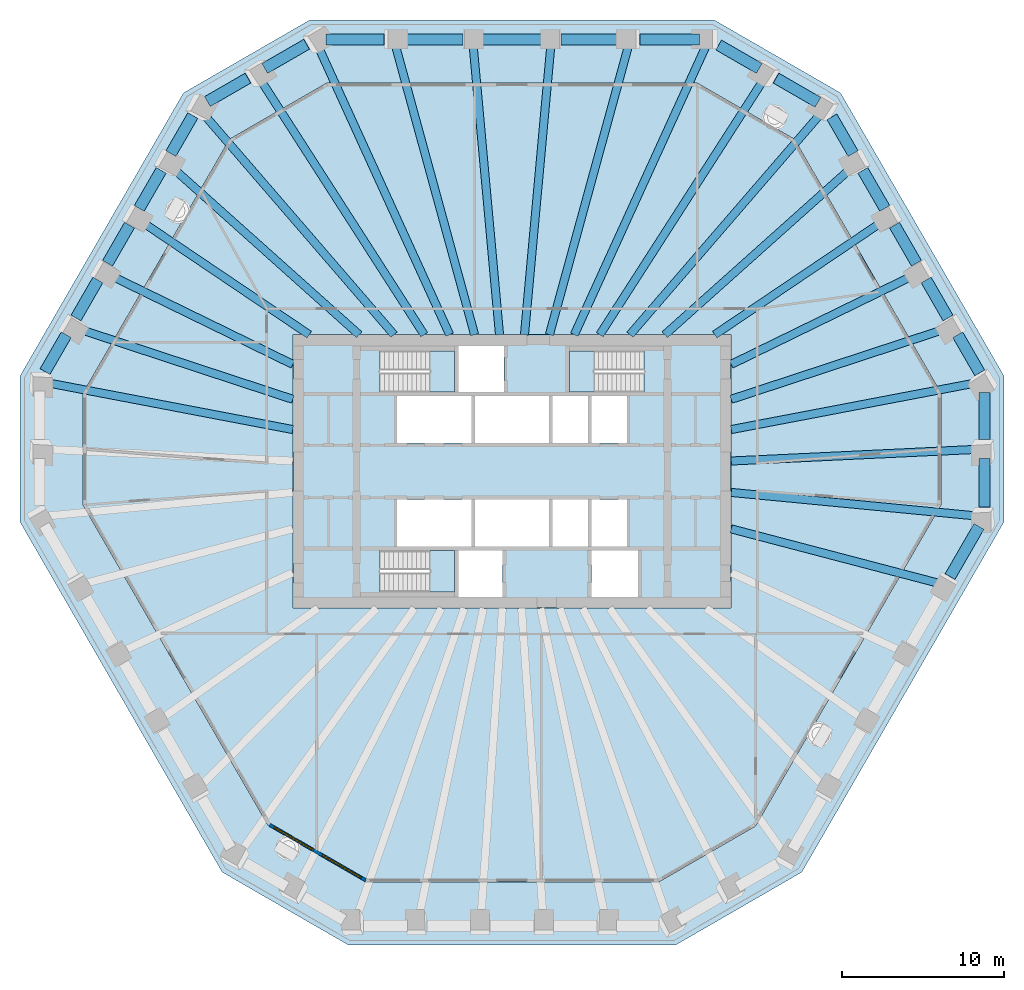
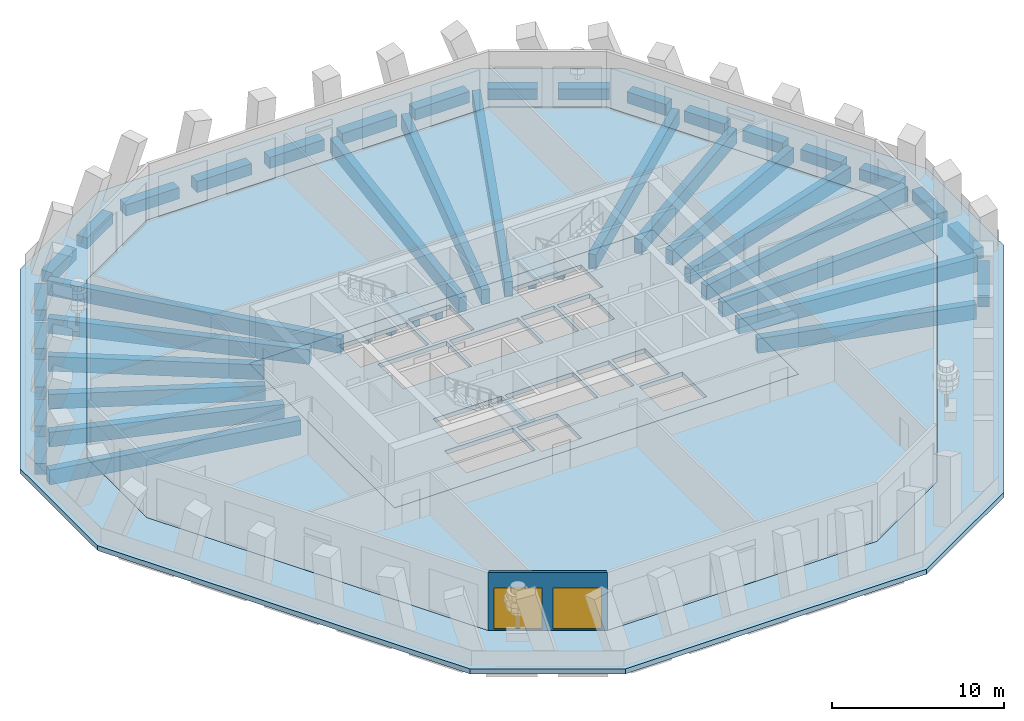
# One storey, part 2 of 11: 45 beams, 6 slabs, 2 windows, 1 wall, 2 openings, 3 elements without a shape of their own.
"""IFC4 building model written with IfcOpenShell, lengths in metres."""

from ifc_helpers import new_model, si_unit, direction, frame, frame_2d, origin, origin_2d, place, context, subcontext, project, spatial, polyline, rectangle, outline, extrude, material, layer, layer_set, material_profile, profile_set, type_object, element, fill, aggregate, save


model = new_model("IFC4")

# Units and contexts
model_context = context("Model", 3, precision=1e-05, world=origin(), true_north=direction((0.0, 1.0)))
body_context = subcontext(model_context, "Body", "Model", "MODEL_VIEW")
ifc_project = project(units=[si_unit("LENGTHUNIT", "METRE"), si_unit("AREAUNIT", "SQUARE_METRE"), si_unit("VOLUMEUNIT", "CUBIC_METRE"), si_unit("PLANEANGLEUNIT", "RADIAN"), si_unit("MASSUNIT", "GRAM", prefix="KILO")], contexts=[model_context])

# Site, building, storey
site_placement = place(None, origin())
site = spatial("IfcSite", under=ifc_project, at=site_placement, CompositionType="ELEMENT")
building_placement = place(site_placement, origin())
building = spatial("IfcBuilding", under=site, at=building_placement, Name="Frailejon Research Tower", CompositionType="ELEMENT")
storey_placement = place(building_placement, frame((0.0, 0.0, 198.0)))
storey = spatial("IfcBuildingStorey", under=building, at=storey_placement, Name="L43", CompositionType="ELEMENT", Elevation=198.0)

# Beams
ifc_material_1 = material(Name="Concrete C60/75", Category="concrete")
ifc_material_profile_1 = material_profile(ifc_material_1, rectangle(XDim=0.5, YDim=1.050048828125, at=origin_2d()), Name="Girder 500x1050")
ifc_profile_set_1 = profile_set([ifc_material_profile_1], Name="Concrete C60/75")
beam_type_1 = type_object("IfcBeamType", Name="Girder 500x1050", PredefinedType="BEAM", material=ifc_profile_set_1)
beam_1_placement = place(storey_placement, frame((28.760498046875, -2.761474609375, -0.824951171875), z_axis=(-0.995422075733, 0.095576624459, 0.0), x_axis=(-0.095576624459, -0.995422075733, 0.0)))
element("IfcBeam", 1, at=beam_1_placement, inside=storey, type_object=beam_type_1, Name="Girder 500x1050", PredefinedType="BEAM", context=body_context, shape_type="SweptSolid", body=[
    extrude(rectangle(XDim=0.5, YDim=1.050048828125, at=origin_2d()), origin(), (0.0, 0.0, 1.0), 15.280517578125),
])
beam_2_placement = place(storey_placement, frame((28.760986328125, 1.361572265625, -0.824951171875), z_axis=(-0.998880941735, -0.047295499135, 0.0), x_axis=(0.047295499135, -0.998880941735, 0.0)))
element("IfcBeam", 2, at=beam_2_placement, inside=storey, type_object=beam_type_1, Name="Girder 500x1050", PredefinedType="BEAM", context=body_context, shape_type="SweptSolid", body=[
    extrude(rectangle(XDim=0.5, YDim=1.050048828125, at=origin_2d()), origin(), (0.0, 0.0, 1.0), 15.22802734375),
])
beam_3_placement = place(storey_placement, frame((28.734375, 5.4794921875, -0.824951171875), z_axis=(-0.982299838323, -0.187315316062, 0.0), x_axis=(0.187315316062, -0.982299838323, 0.0)))
element("IfcBeam", 3, at=beam_3_placement, inside=storey, type_object=beam_type_1, Name="Girder 500x1050", PredefinedType="BEAM", context=body_context, shape_type="SweptSolid", body=[
    extrude(rectangle(XDim=0.5, YDim=1.050048828125, at=origin_2d()), origin(), (0.0, 0.0, 1.0), 15.4580078125),
])
beam_4_placement = place(storey_placement, frame((26.81494140625, 8.814208984375, -0.824951171875), z_axis=(-0.949991667334, -0.312275250374, 0.0), x_axis=(0.312275250374, -0.949991667334, 0.0)))
element("IfcBeam", 4, at=beam_4_placement, inside=storey, type_object=beam_type_1, Name="Girder 500x1050", PredefinedType="BEAM", context=body_context, shape_type="SweptSolid", body=[
    extrude(rectangle(XDim=0.5, YDim=1.050048828125, at=origin_2d()), origin(), (0.0, 0.0, 1.0), 13.963134765625),
])
beam_5_placement = place(storey_placement, frame((24.892822265625, 12.149169921875, -0.824951171875), z_axis=(-0.898680124008, -0.438604645111, 0.0), x_axis=(0.438604645111, -0.898680124008, 0.0)))
element("IfcBeam", 5, at=beam_5_placement, inside=storey, type_object=beam_type_1, Name="Girder 500x1050", PredefinedType="BEAM", context=body_context, shape_type="SweptSolid", body=[
    extrude(rectangle(XDim=0.5, YDim=1.050048828125, at=origin_2d()), origin(), (0.0, 0.0, 1.0), 12.62158203125),
])
beam_6_placement = place(storey_placement, frame((22.968017578125, 15.483154296875, -0.824951171875), z_axis=(-0.829191550788, -0.55896455353, 0.0), x_axis=(0.55896455353, -0.829191550788, 0.0)))
element("IfcBeam", 6, at=beam_6_placement, inside=storey, type_object=beam_type_1, Name="Girder 500x1050", PredefinedType="BEAM", context=body_context, shape_type="SweptSolid", body=[
    extrude(rectangle(XDim=0.5, YDim=1.050048828125, at=origin_2d()), origin(), (0.0, 0.0, 1.0), 12.58251953125),
])
beam_7_placement = place(storey_placement, frame((21.040771484375, 18.8154296875, -0.824951171875), z_axis=(-0.745423192946, -0.666591526663, 0.0), x_axis=(0.666591526663, -0.745423192946, 0.0)))
element("IfcBeam", 7, at=beam_7_placement, inside=storey, type_object=beam_type_1, Name="Girder 500x1050", PredefinedType="BEAM", context=body_context, shape_type="SweptSolid", body=[
    extrude(rectangle(XDim=0.5, YDim=1.050048828125, at=origin_2d()), origin(), (0.0, 0.0, 1.0), 15.550048828125),
])
beam_8_placement = place(storey_placement, frame((19.12841796875, 22.16357421875, -0.824951171875), z_axis=(-0.653362627521, -0.757045095723, 0.0), x_axis=(0.757045095723, -0.653362627521, 0.0)))
element("IfcBeam", 8, at=beam_8_placement, inside=storey, type_object=beam_type_1, Name="Girder 500x1050", PredefinedType="BEAM", context=body_context, shape_type="SweptSolid", body=[
    extrude(rectangle(XDim=0.5, YDim=1.050048828125, at=origin_2d()), origin(), (0.0, 0.0, 1.0), 18.11474609375),
])
beam_9_placement = place(storey_placement, frame((15.5595703125, 24.22705078125, -0.824951171875), z_axis=(-0.540385728464, -0.841417413935, 0.0), x_axis=(0.841417413935, -0.540385728464, 0.0)))
element("IfcBeam", 9, at=beam_9_placement, inside=storey, type_object=beam_type_1, Name="Girder 500x1050", PredefinedType="BEAM", context=body_context, shape_type="SweptSolid", body=[
    extrude(rectangle(XDim=0.5, YDim=1.050048828125, at=origin_2d()), origin(), (0.0, 0.0, 1.0), 18.750732421875),
])
beam_10_placement = place(storey_placement, frame((11.965087890625, 26.236572265625, -0.824951171875), z_axis=(-0.414936441672, -0.909850399446, 0.0), x_axis=(0.909850399446, -0.414936441672, 0.0)))
element("IfcBeam", 10, at=beam_10_placement, inside=storey, type_object=beam_type_1, Name="Girder 500x1050", PredefinedType="BEAM", context=body_context, shape_type="SweptSolid", body=[
    extrude(rectangle(XDim=0.5, YDim=1.050048828125, at=origin_2d()), origin(), (0.0, 0.0, 1.0), 19.549072265625),
])
beam_11_placement = place(storey_placement, frame((7.181396484375, 26.24462890625, -0.824951171875), z_axis=(-0.26392689173, -0.964542687402, 0.0), x_axis=(0.964542687402, -0.26392689173, 0.0)))
element("IfcBeam", 11, at=beam_11_placement, inside=storey, type_object=beam_type_1, Name="Girder 500x1050", PredefinedType="BEAM", context=body_context, shape_type="SweptSolid", body=[
    extrude(rectangle(XDim=0.5, YDim=1.050048828125, at=origin_2d()), origin(), (0.0, 0.0, 1.0), 18.44873046875),
])
for number, where, z_axis, x_axis, name in (
    (12, (2.394287109375, 26.24951171875, -0.824951171875), (-0.090835017193, -0.99586595466, 0.0), (0.99586595466, -0.090835017193, 0.0), "Girder 500x1050"),
    (13, (-2.394287109375, 26.24951171875, -0.824951171875), (0.090835017193, -0.99586595466, 0.0), (0.99586595466, 0.090835017193, 0.0), "Girder 500x1050"),
):
    element("IfcBeam", number, at=place(storey_placement, frame(where, z_axis=z_axis, x_axis=x_axis)), inside=storey, type_object=beam_type_1, Name=name, PredefinedType="BEAM", context=body_context, shape_type="SweptSolid", body=[
        extrude(rectangle(XDim=0.5, YDim=1.050048828125, at=origin_2d()), origin(), (0.0, 0.0, 1.0), 17.87353515625),
    ])
beam_12_placement = place(storey_placement, frame((-7.181396484375, 26.24462890625, -0.824951171875), z_axis=(0.26392689173, -0.964542687402, 0.0), x_axis=(0.964542687402, 0.26392689173, 0.0)))
element("IfcBeam", 14, at=beam_12_placement, inside=storey, type_object=beam_type_1, Name="Girder 500x1050", PredefinedType="BEAM", context=body_context, shape_type="SweptSolid", body=[
    extrude(rectangle(XDim=0.5, YDim=1.050048828125, at=origin_2d()), origin(), (0.0, 0.0, 1.0), 18.44873046875),
])
beam_13_placement = place(storey_placement, frame((-11.988525390625, 26.2880859375, -0.824951171875), z_axis=(0.414934108242, -0.909851463602, 0.0), x_axis=(0.909851463602, 0.414934108242, 0.0)))
element("IfcBeam", 15, at=beam_13_placement, inside=storey, type_object=beam_type_1, Name="Girder 500x1050", PredefinedType="BEAM", context=body_context, shape_type="SweptSolid", body=[
    extrude(rectangle(XDim=0.5, YDim=1.050048828125, at=origin_2d()), origin(), (0.0, 0.0, 1.0), 19.60546875),
])
beam_14_placement = place(storey_placement, frame((-15.5595703125, 24.22705078125, -0.824951171875), z_axis=(0.540385728464, -0.841417413935, 0.0), x_axis=(0.841417413935, 0.540385728464, 0.0)))
element("IfcBeam", 16, at=beam_14_placement, inside=storey, type_object=beam_type_1, Name="Girder 500x1050", PredefinedType="BEAM", context=body_context, shape_type="SweptSolid", body=[
    extrude(rectangle(XDim=0.5, YDim=1.050048828125, at=origin_2d()), origin(), (0.0, 0.0, 1.0), 18.750732421875),
])
beam_15_placement = place(storey_placement, frame((-19.112548828125, 22.14501953125, -0.824951171875), z_axis=(0.653367200863, -0.757041148708, 0.0), x_axis=(0.757041148708, 0.653367200863, 0.0)))
element("IfcBeam", 17, at=beam_15_placement, inside=storey, type_object=beam_type_1, Name="Girder 500x1050", PredefinedType="BEAM", context=body_context, shape_type="SweptSolid", body=[
    extrude(rectangle(XDim=0.5, YDim=1.050048828125, at=origin_2d()), origin(), (0.0, 0.0, 1.0), 18.09033203125),
])
beam_16_placement = place(storey_placement, frame((-21.040771484375, 18.8154296875, -0.824951171875), z_axis=(0.745423192946, -0.666591526663, 0.0), x_axis=(0.666591526663, 0.745423192946, 0.0)))
element("IfcBeam", 18, at=beam_16_placement, inside=storey, type_object=beam_type_1, Name="Girder 500x1050", PredefinedType="BEAM", context=body_context, shape_type="SweptSolid", body=[
    extrude(rectangle(XDim=0.5, YDim=1.050048828125, at=origin_2d()), origin(), (0.0, 0.0, 1.0), 15.550048828125),
])
beam_17_placement = place(storey_placement, frame((-22.968017578125, 15.483154296875, -0.824951171875), z_axis=(0.829191550788, -0.55896455353, 0.0), x_axis=(0.55896455353, 0.829191550788, 0.0)))
element("IfcBeam", 19, at=beam_17_placement, inside=storey, type_object=beam_type_1, Name="Girder 500x1050", PredefinedType="BEAM", context=body_context, shape_type="SweptSolid", body=[
    extrude(rectangle(XDim=0.5, YDim=1.050048828125, at=origin_2d()), origin(), (0.0, 0.0, 1.0), 12.58251953125),
])
beam_18_placement = place(storey_placement, frame((-24.892822265625, 12.149169921875, -0.824951171875), z_axis=(0.898680124008, -0.438604645111, 0.0), x_axis=(0.438604645111, 0.898680124008, 0.0)))
element("IfcBeam", 20, at=beam_18_placement, inside=storey, type_object=beam_type_1, Name="Girder 500x1050", PredefinedType="BEAM", context=body_context, shape_type="SweptSolid", body=[
    extrude(rectangle(XDim=0.5, YDim=1.050048828125, at=origin_2d()), origin(), (0.0, 0.0, 1.0), 12.62158203125),
])
beam_19_placement = place(storey_placement, frame((-26.81494140625, 8.814208984375, -0.824951171875), z_axis=(0.949991667334, -0.312275250374, 0.0), x_axis=(0.312275250374, 0.949991667334, 0.0)))
element("IfcBeam", 21, at=beam_19_placement, inside=storey, type_object=beam_type_1, Name="Girder 500x1050", PredefinedType="BEAM", context=body_context, shape_type="SweptSolid", body=[
    extrude(rectangle(XDim=0.5, YDim=1.050048828125, at=origin_2d()), origin(), (0.0, 0.0, 1.0), 13.963134765625),
])
beam_20_placement = place(storey_placement, frame((-28.75830078125, 5.48388671875, -0.824951171875), z_axis=(0.982301833561, -0.187304852536, 0.0), x_axis=(0.187304852536, 0.982301833561, 0.0)))
element("IfcBeam", 22, at=beam_20_placement, inside=storey, type_object=beam_type_1, Name="Girder 500x1050", PredefinedType="BEAM", context=body_context, shape_type="SweptSolid", body=[
    extrude(rectangle(XDim=0.5, YDim=1.050048828125, at=origin_2d()), origin(), (0.0, 0.0, 1.0), 15.482177734375),
])
beam_21_placement = place(storey_placement, frame((26.319091796875, -6.903076171875, -0.824951171875), z_axis=(-0.967282154097, 0.253703043668, 0.0), x_axis=(-0.253703043668, -0.967282154097, 0.0)))
element("IfcBeam", 23, at=beam_21_placement, inside=storey, type_object=beam_type_1, Name="Girder 500x1050", PredefinedType="BEAM", context=body_context, shape_type="SweptSolid", body=[
    extrude(rectangle(XDim=0.5, YDim=1.050048828125, at=origin_2d()), origin(), (0.0, 0.0, 1.0), 13.200927734375),
])
ifc_material_2 = material(Name="Concrete C60/75", Category="concrete")
ifc_material_profile_2 = material_profile(ifc_material_2, rectangle(XDim=0.699951171875, YDim=0.800048828125, at=origin_2d()), Name="Spandrel 700x800")
ifc_profile_set_2 = profile_set([ifc_material_profile_2], Name="Concrete C60/75")
beam_type_2 = type_object("IfcBeamType", Name="Spandrel 700x800", PredefinedType="BEAM", material=ifc_profile_set_2)
beam_22_placement = place(storey_placement, frame((29.211181640625, -2.204833984375, -0.75), z_axis=(0.0, 1.0, 0.0), x_axis=(-1.0, 0.0, 0.0)))
element("IfcBeam", 24, at=beam_22_placement, inside=storey, type_object=beam_type_2, Name="Spandrel 700x800", PredefinedType="BEAM", context=body_context, shape_type="SweptSolid", body=[
    extrude(rectangle(XDim=0.699951171875, YDim=0.800048828125, at=origin_2d()), origin(), (0.0, 0.0, 1.0), 2.987548828125),
])
beam_23_placement = place(storey_placement, frame((29.211181640625, 1.98291015625, -0.75), z_axis=(0.0, 1.0, 0.0), x_axis=(-1.0, 0.0, 0.0)))
element("IfcBeam", 25, at=beam_23_placement, inside=storey, type_object=beam_type_2, Name="Spandrel 700x800", PredefinedType="BEAM", context=body_context, shape_type="SweptSolid", body=[
    extrude(rectangle(XDim=0.699951171875, YDim=0.800048828125, at=origin_2d()), origin(), (0.0, 0.0, 1.0), 2.89453125),
])
for number, where, z_axis, x_axis, name in (
    (26, (28.9111328125, 6.08984375, -0.75), (-0.500010688608, 0.866019232626, 0.0), (-0.866019232626, -0.500010688608, 0.0), "Spandrel 700x800"),
    (27, (26.954833984375, 9.478271484375, -0.75), (-0.500010688608, 0.866019232626, 0.0), (-0.866019232626, -0.500010688608, 0.0), "Spandrel 700x800"),
    (28, (24.99853515625, 12.86669921875, -0.75), (-0.500010688608, 0.866019232626, 0.0), (-0.866019232626, -0.500010688608, 0.0), "Spandrel 700x800"),
    (29, (23.042236328125, 16.255126953125, -0.75), (-0.500010688608, 0.866019232626, 0.0), (-0.866019232626, -0.500010688608, 0.0), "Spandrel 700x800"),
):
    element("IfcBeam", number, at=place(storey_placement, frame(where, z_axis=z_axis, x_axis=x_axis)), inside=storey, type_object=beam_type_2, Name=name, PredefinedType="BEAM", context=body_context, shape_type="SweptSolid", body=[
        extrude(rectangle(XDim=0.699951171875, YDim=0.800048828125, at=origin_2d()), origin(), (0.0, 0.0, 1.0), 2.712890625),
    ])
beam_24_placement = place(storey_placement, frame((21.0859375, 19.6435546875, -0.75), z_axis=(-0.500047801172, 0.865997804006, 0.0), x_axis=(-0.865997804006, -0.500047801172, 0.0)))
element("IfcBeam", 30, at=beam_24_placement, inside=storey, type_object=beam_type_2, Name="Spandrel 700x800", PredefinedType="BEAM", context=body_context, shape_type="SweptSolid", body=[
    extrude(rectangle(XDim=0.699951171875, YDim=0.800048828125, at=origin_2d()), origin(), (0.0, 0.0, 1.0), 2.619873046875),
])
beam_25_placement = place(storey_placement, frame((18.909912109375, 22.8125, -0.75), z_axis=(-0.86603180189, 0.499988917992, 0.0), x_axis=(-0.499988917992, -0.86603180189, 0.0)))
element("IfcBeam", 31, at=beam_25_placement, inside=storey, type_object=beam_type_2, Name="Spandrel 700x800", PredefinedType="BEAM", context=body_context, shape_type="SweptSolid", body=[
    extrude(rectangle(XDim=0.699951171875, YDim=0.800048828125, at=origin_2d()), origin(), (0.0, 0.0, 1.0), 2.9873046875),
])
beam_26_placement = place(storey_placement, frame((15.283447265625, 24.90625, -0.75), z_axis=(-0.866033897268, 0.499985288567, 0.0), x_axis=(-0.499985288567, -0.866033897268, 0.0)))
element("IfcBeam", 32, at=beam_26_placement, inside=storey, type_object=beam_type_2, Name="Spandrel 700x800", PredefinedType="BEAM", context=body_context, shape_type="SweptSolid", body=[
    extrude(rectangle(XDim=0.699951171875, YDim=0.800048828125, at=origin_2d()), origin(), (0.0, 0.0, 1.0), 2.89453125),
])
for number, where, z_axis, x_axis, name in (
    (33, (11.576416015625, 26.699951171875, -0.75), (-1.0, 0.0, 0.0), (0.0, -1.0, 0.0), "Spandrel 700x800"),
    (34, (6.705810546875, 26.699951171875, -0.75), (-1.0, 0.0, 0.0), (0.0, -1.0, 0.0), "Spandrel 700x800"),
    (35, (1.835205078125, 26.699951171875, -0.75), (-1.0, 0.0, 0.0), (0.0, -1.0, 0.0), "Spandrel 700x800"),
    (36, (-3.035400390625, 26.699951171875, -0.75), (-1.0, 0.0, 0.0), (0.0, -1.0, 0.0), "Spandrel 700x800"),
):
    element("IfcBeam", number, at=place(storey_placement, frame(where, z_axis=z_axis, x_axis=x_axis)), inside=storey, type_object=beam_type_2, Name=name, PredefinedType="BEAM", context=body_context, shape_type="SweptSolid", body=[
        extrude(rectangle(XDim=0.699951171875, YDim=0.800048828125, at=origin_2d()), origin(), (0.0, 0.0, 1.0), 3.67041015625),
    ])
beam_27_placement = place(storey_placement, frame((-7.906005859375, 26.699951171875, -0.75), z_axis=(-1.0, 0.0, 0.0), x_axis=(0.0, -1.0, 0.0)))
element("IfcBeam", 37, at=beam_27_placement, inside=storey, type_object=beam_type_2, Name="Spandrel 700x800", PredefinedType="BEAM", context=body_context, shape_type="SweptSolid", body=[
    extrude(rectangle(XDim=0.699951171875, YDim=0.800048828125, at=origin_2d()), origin(), (0.0, 0.0, 1.0), 3.57763671875),
])
beam_28_placement = place(storey_placement, frame((-12.696044921875, 26.39990234375, -0.75), z_axis=(-0.866052229876, -0.499953532967, 0.0), x_axis=(0.499953532967, -0.866052229876, 0.0)))
element("IfcBeam", 38, at=beam_28_placement, inside=storey, type_object=beam_type_2, Name="Spandrel 700x800", PredefinedType="BEAM", context=body_context, shape_type="SweptSolid", body=[
    extrude(rectangle(XDim=0.699951171875, YDim=0.800048828125, at=origin_2d()), origin(), (0.0, 0.0, 1.0), 2.987548828125),
])
beam_29_placement = place(storey_placement, frame((-16.32275390625, 24.30615234375, -0.75), z_axis=(-0.866033897268, -0.499985288567, 0.0), x_axis=(0.499985288567, -0.866033897268, 0.0)))
element("IfcBeam", 39, at=beam_29_placement, inside=storey, type_object=beam_type_2, Name="Spandrel 700x800", PredefinedType="BEAM", context=body_context, shape_type="SweptSolid", body=[
    extrude(rectangle(XDim=0.699951171875, YDim=0.800048828125, at=origin_2d()), origin(), (0.0, 0.0, 1.0), 2.89453125),
])
for number, where, z_axis, x_axis, name in (
    (40, (-19.7294921875, 21.992919921875, -0.75), (-0.500010688608, -0.866019232626, 0.0), (0.866019232626, -0.500010688608, 0.0), "Spandrel 700x800"),
    (41, (-21.685791015625, 18.6044921875, -0.75), (-0.500010688608, -0.866019232626, 0.0), (0.866019232626, -0.500010688608, 0.0), "Spandrel 700x800"),
    (42, (-23.64208984375, 15.216064453125, -0.75), (-0.500010688608, -0.866019232626, 0.0), (0.866019232626, -0.500010688608, 0.0), "Spandrel 700x800"),
    (43, (-25.598388671875, 11.82763671875, -0.75), (-0.500010688608, -0.866019232626, 0.0), (0.866019232626, -0.500010688608, 0.0), "Spandrel 700x800"),
):
    element("IfcBeam", number, at=place(storey_placement, frame(where, z_axis=z_axis, x_axis=x_axis)), inside=storey, type_object=beam_type_2, Name=name, PredefinedType="BEAM", context=body_context, shape_type="SweptSolid", body=[
        extrude(rectangle(XDim=0.699951171875, YDim=0.800048828125, at=origin_2d()), origin(), (0.0, 0.0, 1.0), 2.712890625),
    ])
beam_30_placement = place(storey_placement, frame((-27.5546875, 8.439208984375, -0.75), z_axis=(-0.500047801172, -0.865997804006, 0.0), x_axis=(0.865997804006, -0.500047801172, 0.0)))
element("IfcBeam", 44, at=beam_30_placement, inside=storey, type_object=beam_type_2, Name="Spandrel 700x800", PredefinedType="BEAM", context=body_context, shape_type="SweptSolid", body=[
    extrude(rectangle(XDim=0.699951171875, YDim=0.800048828125, at=origin_2d()), origin(), (0.0, 0.0, 1.0), 2.619873046875),
])
beam_31_placement = place(storey_placement, frame((27.07568359375, -6.50341796875, -0.75), z_axis=(0.500013836808, 0.866017414952, 0.0), x_axis=(-0.866017414952, 0.500013836808, 0.0)))
element("IfcBeam", 45, at=beam_31_placement, inside=storey, type_object=beam_type_2, Name="Spandrel 700x800", PredefinedType="BEAM", context=body_context, shape_type="SweptSolid", body=[
    extrude(rectangle(XDim=0.699951171875, YDim=0.800048828125, at=origin_2d()), origin(), (0.0, 0.0, 1.0), 3.578125),
])

# Slabs
ifc_material_3 = material(Name="Concrete C60/75", Category="concrete")
ifc_layer_1 = layer(ifc_material_3, 0.300048828125)
ifc_layer_set_1 = layer_set([ifc_layer_1], Name="Core floor slab 300 C60/75")
slab_type_1 = type_object("IfcSlabType", Name="Core floor slab 300 C60/75", PredefinedType="FLOOR", material=ifc_layer_set_1)
slab_1_placement = place(storey_placement, frame((0.0, 0.0, -0.300048828125)))
element("IfcSlab", 46, at=slab_1_placement, inside=storey, type_object=slab_type_1, Name="Core floor slab", PredefinedType="FLOOR", context=body_context, shape_type="SweptSolid", body=[
    extrude(outline(polyline([(13.550048828125, -8.449951171875), (13.550048828125, 8.449951171875), (-13.550048828125, 8.449951171875), (-13.550048828125, -8.449951171875), (13.550048828125, -8.449951171875)]), holes=[polyline([(-2.5, 1.75), (-2.5, 4.64990234375), (-7.10009765625, 4.64990234375), (-7.10009765625, 1.75), (-2.5, 1.75)]), polyline([(2.300048828125, 1.75), (2.300048828125, 4.64990234375), (-2.300048828125, 4.64990234375), (-2.300048828125, 1.75), (2.300048828125, 1.75)]), polyline([(4.699951171875, 1.75), (4.699951171875, 4.64990234375), (2.5, 4.64990234375), (2.5, 1.75), (4.699951171875, 1.75)]), polyline([(7.10009765625, 1.75), (7.10009765625, 4.64990234375), (4.89990234375, 4.64990234375), (4.89990234375, 1.75), (7.10009765625, 1.75)]), polyline([(-2.5, -4.64990234375), (-2.5, -1.75), (-7.10009765625, -1.75), (-7.10009765625, -4.64990234375), (-2.5, -4.64990234375)]), polyline([(2.300048828125, -4.64990234375), (2.300048828125, -1.75), (-2.300048828125, -1.75), (-2.300048828125, -4.64990234375), (2.300048828125, -4.64990234375)]), polyline([(4.699951171875, -4.64990234375), (4.699951171875, -1.75), (2.5, -1.75), (2.5, -4.64990234375), (4.699951171875, -4.64990234375)]), polyline([(7.10009765625, -4.64990234375), (7.10009765625, -1.75), (4.89990234375, -1.75), (4.89990234375, -4.64990234375), (7.10009765625, -4.64990234375)]), polyline([(-8.14697265625, 4.89990234375), (-3.550048828125, 4.89990234375), (-3.550048828125, 7.449951171875), (-8.14697265625, 7.449951171875), (-8.14697265625, 4.89990234375)]), polyline([(-8.14697265625, -7.449951171875), (-3.550048828125, -7.449951171875), (-3.550048828125, -4.89990234375), (-8.14697265625, -4.89990234375), (-8.14697265625, -7.449951171875)]), polyline([(8.14697265625, 7.449951171875), (3.550048828125, 7.449951171875), (3.550048828125, 4.89990234375), (8.14697265625, 4.89990234375), (8.14697265625, 7.449951171875)]), polyline([(-0.60009765625, -7.75), (-0.60009765625, -4.89990234375), (-3.300048828125, -4.89990234375), (-3.300048828125, -7.75), (-0.60009765625, -7.75)]), polyline([(7.800048828125, -7.75), (7.800048828125, -4.89990234375), (4.89990234375, -4.89990234375), (4.89990234375, -7.75), (7.800048828125, -7.75)]), polyline([(-0.5, 4.89990234375), (-0.5, 7.75), (-3.300048828125, 7.75), (-3.300048828125, 4.89990234375), (-0.5, 4.89990234375)])]), origin(), (0.0, 0.0, 1.0), 0.300048828125),
])
ifc_material_4 = material(Name="Concrete C40/50", Category="concrete")
ifc_layer_2 = layer(ifc_material_4, 0.35009765625)
ifc_layer_set_2 = layer_set([ifc_layer_2], Name="Loggia slab 350")
slab_type_2 = type_object("IfcSlabType", Name="Loggia slab 350", PredefinedType="USERDEFINED", material=ifc_layer_set_2)
slab_2_placement = place(storey_placement, frame((0.0, 0.0, -0.35009765625)))
element("IfcSlab", 47, at=slab_2_placement, inside=storey, type_object=slab_type_2, Name="Loggia slab L43", ObjectType="LOGGIA", PredefinedType="USERDEFINED", context=body_context, shape_type="SweptSolid", body=[
    extrude(outline(polyline([(17.9130859375, -24.773681640625), (10.10302734375, -29.28271484375), (-10.10302734375, -29.28271484375), (-17.9130859375, -24.773681640625), (-30.4111328125, -3.126220703125), (-30.4111328125, 5.891845703125), (-20.30810546875, 23.390869140625), (-12.498046875, 27.89990234375), (12.498046875, 27.89990234375), (20.30810546875, 23.390869140625), (30.4111328125, 5.891845703125), (30.4111328125, -3.126220703125), (17.9130859375, -24.773681640625)]), holes=[polyline([(26.510986328125, 4.846923828125), (17.453125, 20.535888671875), (11.453125, 24.0), (-11.453125, 24.0), (-17.453125, 20.535888671875), (-26.510986328125, 4.846923828125), (-26.510986328125, -2.081298828125), (-15.05810546875, -21.918701171875), (-9.05810546875, -25.3828125), (9.05810546875, -25.3828125), (15.05810546875, -21.918701171875), (26.510986328125, -2.081298828125), (26.510986328125, 4.846923828125)])]), origin(), (0.0, 0.0, 1.0), 0.35009765625),
])
ifc_material_5 = material(Name="Concrete C40/50", Category="concrete")
ifc_layer_3 = layer(ifc_material_5, 0.300048828125)
ifc_layer_set_3 = layer_set([ifc_layer_3], Name="Slab typical 300")
slab_type_3 = type_object("IfcSlabType", Name="Slab typical 300", PredefinedType="FLOOR", material=ifc_layer_set_3)
slab_3_placement = place(storey_placement, frame((0.0, 0.0, -0.300048828125)))
element("IfcSlab", 48, at=slab_3_placement, inside=storey, type_object=slab_type_3, Name="Floor slab L43", PredefinedType="FLOOR", context=body_context, shape_type="SweptSolid", body=[
    extrude(outline(polyline([(26.510986328125, -2.081298828125), (26.510986328125, 4.846923828125), (17.453125, 20.535888671875), (11.453125, 24.0), (-11.453125, 24.0), (-17.453125, 20.535888671875), (-26.510986328125, 4.846923828125), (-26.510986328125, -2.081298828125), (-15.05810546875, -21.918701171875), (-9.05810546875, -25.3828125), (9.05810546875, -25.3828125), (15.05810546875, -21.918701171875), (26.510986328125, -2.081298828125)]), holes=[polyline([(13.550048828125, -8.449951171875), (-13.550048828125, -8.449951171875), (-13.550048828125, 8.449951171875), (13.550048828125, 8.449951171875), (13.550048828125, -8.449951171875)])]), origin(), (0.0, 0.0, 1.0), 0.300048828125),
])

# Stair, slab
ifc_material_6 = material(Name="Concrete C50/60", Category="concrete")
stair_type = type_object("IfcStairType", Name="Exit stair 24 risers", PredefinedType="HALF_TURN_STAIR", material=ifc_material_6)
stair_1_placement = place(storey_placement, origin())
stair_1 = element("IfcStair", 49, at=stair_1_placement, inside=storey, type_object=stair_type, Name="L43 Exit stair ST1", PredefinedType="HALF_TURN_STAIR")
ifc_material_7 = material(Name="Concrete C50/60", Category="concrete")
ifc_layer_4 = layer(ifc_material_7, 0.199951171875)
ifc_layer_set_4 = layer_set([ifc_layer_4], Name="Stair landing slab 200")
slab_type_4 = type_object("IfcSlabType", Name="Stair landing slab 200", PredefinedType="LANDING", material=ifc_layer_set_4)
slab_4_placement = place(storey_placement, frame((0.0, 0.0, 2.0)))
slab_4 = element("IfcSlab", 50, at=slab_4_placement, type_object=slab_type_4, Name="ST1 landing 1", PredefinedType="LANDING", context=body_context, shape_type="SweptSolid", body=[
    extrude(outline(polyline([(-5.070068359375, 4.89990234375), (-3.550048828125, 4.89990234375), (-3.550048828125, 7.449951171875), (-5.070068359375, 7.449951171875), (-5.070068359375, 4.89990234375)])), origin(), (0.0, 0.0, 1.0), 0.199951171875),
])
aggregate(stair_1, [slab_4])

stair_2_placement = place(storey_placement, origin())
stair_2 = element("IfcStair", 51, at=stair_2_placement, inside=storey, type_object=stair_type, Name="L43 Exit stair ST2", PredefinedType="HALF_TURN_STAIR")
slab_5_placement = place(storey_placement, frame((0.0, 0.0, 2.0)))
slab_5 = element("IfcSlab", 52, at=slab_5_placement, type_object=slab_type_4, Name="ST2 landing 1", PredefinedType="LANDING", context=body_context, shape_type="SweptSolid", body=[
    extrude(outline(polyline([(-5.070068359375, -7.449951171875), (-3.550048828125, -7.449951171875), (-3.550048828125, -4.89990234375), (-5.070068359375, -4.89990234375), (-5.070068359375, -7.449951171875)])), origin(), (0.0, 0.0, 1.0), 0.199951171875),
])
aggregate(stair_2, [slab_5])

stair_3_placement = place(storey_placement, origin())
stair_3 = element("IfcStair", 53, at=stair_3_placement, inside=storey, type_object=stair_type, Name="L43 Exit stair ST3", PredefinedType="HALF_TURN_STAIR")
slab_6_placement = place(storey_placement, frame((0.0, 0.0, 2.0)))
slab_6 = element("IfcSlab", 54, at=slab_6_placement, type_object=slab_type_4, Name="ST3 landing 1", PredefinedType="LANDING", context=body_context, shape_type="SweptSolid", body=[
    extrude(outline(polyline([(5.070068359375, 7.449951171875), (3.550048828125, 7.449951171875), (3.550048828125, 4.89990234375), (5.070068359375, 4.89990234375), (5.070068359375, 7.449951171875)])), origin(), (0.0, 0.0, 1.0), 0.199951171875),
])
aggregate(stair_3, [slab_6])

# Wall, openings, windows
ifc_material_8 = material(Name="Concrete C40/50 precast window wall panel", Category="concrete")
ifc_layer_5 = layer(ifc_material_8, 0.199951171875)
ifc_layer_set_5 = layer_set([ifc_layer_5], Name="Window wall 200")
wall_type = type_object("IfcWallType", Name="Window wall 200", PredefinedType="SOLIDWALL", material=ifc_layer_set_5)
wall_placement = place(storey_placement, frame((-14.98486328125, -21.845458984375, 0.0), z_axis=(0.0, 0.0, 1.0), x_axis=(0.866029458321, -0.49999297727, 0.0)))
wall = element("IfcWall", 55, at=wall_placement, inside=storey, type_object=wall_type, Name="Exterior wall L43", PredefinedType="SOLIDWALL", context=body_context, shape_type="SweptSolid", body=[
    extrude(outline(polyline([(-0.02685546875, -0.10009765625), (1.1279296875, -0.10009765625), (2.282470703125, -0.10009765625), (3.437255859375, -0.10009765625), (4.592041015625, -0.10009765625), (5.74658203125, -0.10009765625), (6.9013671875, -0.10009765625), (6.84765625, 0.10009765625), (5.7109375, 0.10009765625), (4.573974609375, 0.10009765625), (3.437255859375, 0.10009765625), (2.300537109375, 0.10009765625), (1.16357421875, 0.10009765625), (0.02685546875, 0.10009765625), (-0.02685546875, -0.10009765625)])), origin(), (0.0, 0.0, 1.0), 4.10009765625),
])
opening_1_placement = place(wall_placement, frame((0.318603515625, 0.0, 0.10009765625)))
opening_1 = element("IfcOpeningElement", 56, at=opening_1_placement, cuts=wall, Name="Opening W3", PredefinedType="OPENING", context=body_context, shape_type="SweptSolid", body=[
    extrude(rectangle(XDim=2.800048828125, YDim=2.89990234375, at=frame_2d((1.39990234375, 1.449951171875))), frame((0.0, 0.10986328125, 0.0), z_axis=(0.0, -1.0, 0.0), x_axis=(1.0, 0.0, 0.0)), (0.0, 0.0, 1.0), 0.219970703125),
])
opening_2_placement = place(wall_placement, frame((3.756103515625, 0.0, 0.10009765625)))
opening_2 = element("IfcOpeningElement", 57, at=opening_2_placement, cuts=wall, Name="Opening W3", PredefinedType="OPENING", context=body_context, shape_type="SweptSolid", body=[
    extrude(rectangle(XDim=2.800048828125, YDim=2.89990234375, at=frame_2d((1.39990234375, 1.449951171875))), frame((0.0, 0.10986328125, 0.0), z_axis=(0.0, -1.0, 0.0), x_axis=(1.0, 0.0, 0.0)), (0.0, 0.0, 1.0), 0.219970703125),
])
ifc_material_9 = material(Name="Aluminium framed double glazing", Category="aluminium")
window_type = type_object("IfcWindowType", Name="Window 2800x2900", PartitioningType="SINGLE_PANEL", PredefinedType="WINDOW", material=ifc_material_9)
window_1_placement = place(opening_1_placement, origin())
window_1 = element("IfcWindow", 58, at=window_1_placement, inside=storey, type_object=window_type, Name="Window L43", OverallHeight=2.89990234375, OverallWidth=2.800048828125, PartitioningType="SINGLE_PANEL", PredefinedType="WINDOW", context=body_context, shape_type="SweptSolid", body=[
    extrude(rectangle(XDim=2.800048828125, YDim=2.89990234375, at=frame_2d((1.39990234375, 1.449951171875))), frame((0.0, 0.030029296875, 0.0), z_axis=(0.0, -1.0, 0.0), x_axis=(1.0, 0.0, 0.0)), (0.0, 0.0, 1.0), 0.06005859375),
])
fill(opening_1, window_1)
window_2_placement = place(opening_2_placement, origin())
window_2 = element("IfcWindow", 59, at=window_2_placement, inside=storey, type_object=window_type, Name="Window L43", OverallHeight=2.89990234375, OverallWidth=2.800048828125, PartitioningType="SINGLE_PANEL", PredefinedType="WINDOW", context=body_context, shape_type="SweptSolid", body=[
    extrude(rectangle(XDim=2.800048828125, YDim=2.89990234375, at=frame_2d((1.39990234375, 1.449951171875))), frame((0.0, 0.030029296875, 0.0), z_axis=(0.0, -1.0, 0.0), x_axis=(1.0, 0.0, 0.0)), (0.0, 0.0, 1.0), 0.06005859375),
])
fill(opening_2, window_2)

save(model, "model.ifc")
